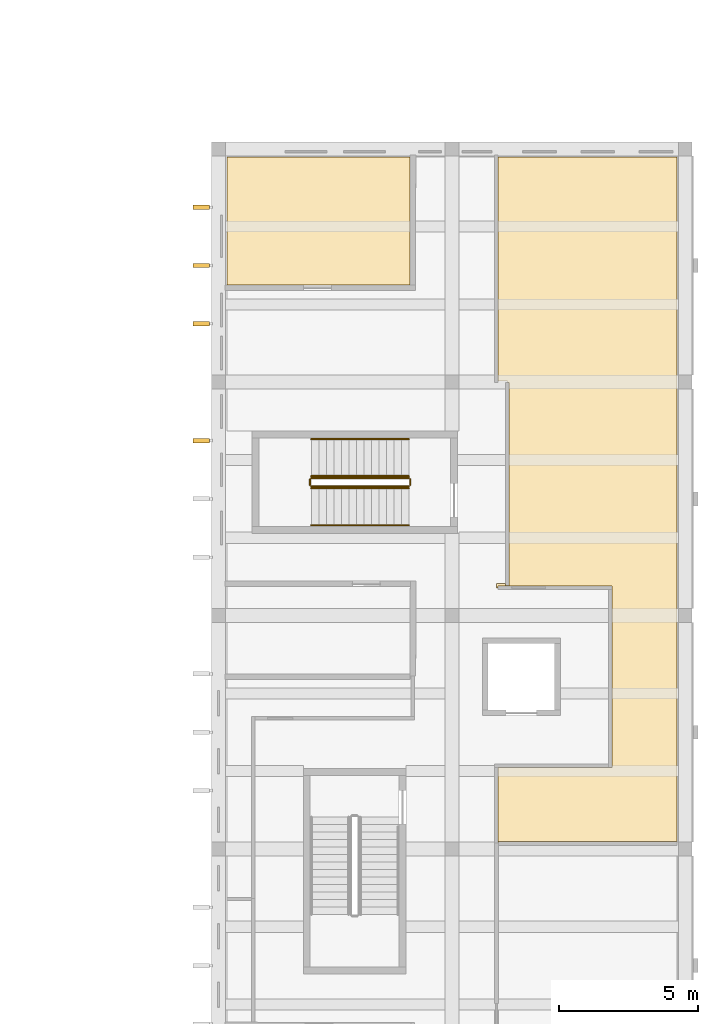
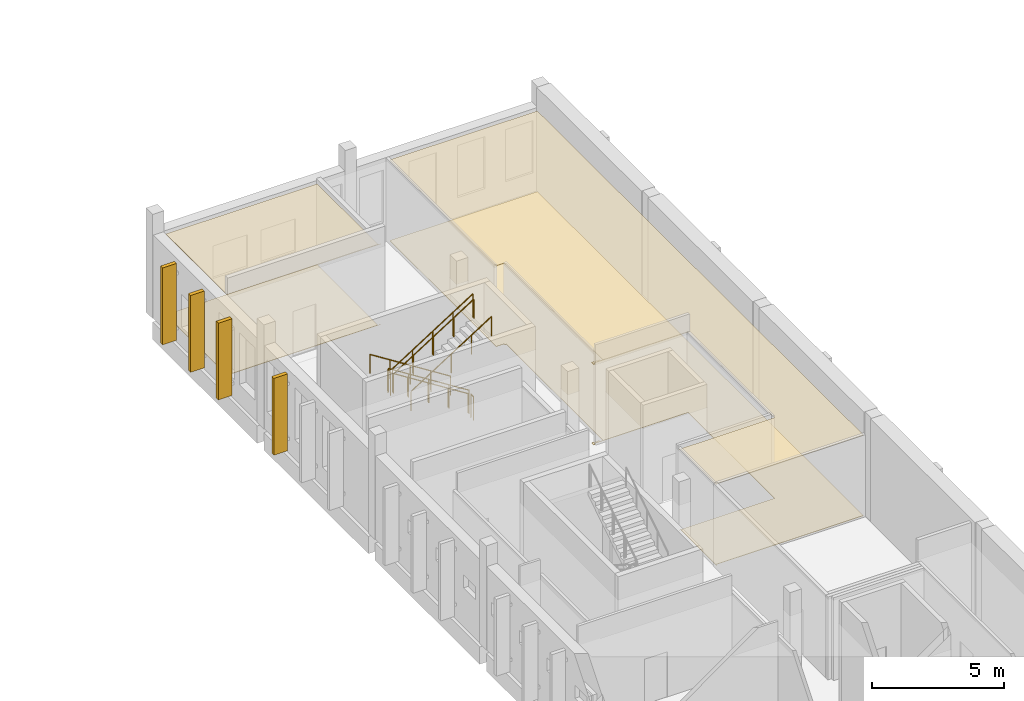
# One storey, part 27 of 37: 8 coverings, 8 railings.
"""IFC4 building model written with IfcOpenShell, lengths in metres."""

from ifc_helpers import new_model, si_unit, direction, frame, origin, origin_2d, place, context, subcontext, project, spatial, polyline, circle, outline, extrude, material, layer, layer_set, type_object, element, save


model = new_model("IFC4")

# Units and contexts
model_context = context("Model", 3, precision=1e-05, world=origin(), true_north=direction((0.0, 1.0)))
body_context = subcontext(model_context, "Body", "Model", "MODEL_VIEW")
ifc_project = project(units=[si_unit("LENGTHUNIT", "METRE"), si_unit("AREAUNIT", "SQUARE_METRE"), si_unit("VOLUMEUNIT", "CUBIC_METRE"), si_unit("PLANEANGLEUNIT", "RADIAN"), si_unit("MASSUNIT", "GRAM", prefix="KILO")], contexts=[model_context])

# Site, building, storey
site_placement = place(None, origin())
site = spatial("IfcSite", under=ifc_project, at=site_placement, CompositionType="ELEMENT")
building_placement = place(site_placement, origin())
building = spatial("IfcBuilding", under=site, at=building_placement, Name="Larchfold Concert Hall", CompositionType="ELEMENT")
storey_placement = place(building_placement, frame((0.0, 0.0, 19.199951171875)))
storey = spatial("IfcBuildingStorey", under=building, at=storey_placement, Name="L04", CompositionType="ELEMENT", Elevation=19.199951171875)

# Coverings
ifc_material_1 = material(Name="Plasterboard ceiling lining")
ifc_layer_1 = layer(ifc_material_1, 0.030029296875)
ifc_layer_set_1 = layer_set([ifc_layer_1], Name="Plasterboard ceiling lining")
covering_type_1 = type_object("IfcCoveringType", Name="Ceiling suspended plasterboard 30", PredefinedType="CEILING", material=ifc_layer_set_1)
covering_1_placement = place(storey_placement, frame((0.0, 0.0, 3.710205078125)))
element("IfcCovering", 1, at=covering_1_placement, inside=storey, type_object=covering_type_1, Name="Ceiling Practice Room 02", PredefinedType="CEILING", context=body_context, shape_type="SweptSolid", body=[
    extrude(outline(polyline([(84.900146484375, 50.699951171875), (84.900146484375, 46.10009765625), (91.60009765625, 46.10107421875), (91.494140625, 46.101318359375), (91.5, 50.699951171875), (84.900146484375, 50.699951171875)])), origin(), (0.0, 0.0, 1.0), 0.030029296875),
])
covering_2_placement = place(storey_placement, frame((0.0, 0.0, 3.710205078125)))
element("IfcCovering", 2, at=covering_2_placement, inside=storey, type_object=covering_type_1, Name="Ceiling Orchestra Library Study", PredefinedType="CEILING", context=body_context, shape_type="SweptSolid", body=[
    extrude(outline(polyline([(94.60009765625, 28.7314453125), (94.66259765625, 28.7314453125), (94.66259765625, 26.02001953125), (94.675048828125, 26.02001953125), (94.675048828125, 26.074951171875), (101.099853515625, 26.074951171875), (101.099853515625, 50.699951171875), (94.66259765625, 50.699951171875), (94.661376953125, 42.650146484375), (95.0, 42.650146484375), (95.0, 42.58642578125), (95.0615234375, 42.58642578125), (95.0615234375, 35.28857421875), (94.9365234375, 35.28857421875), (94.9365234375, 35.349853515625), (94.60009765625, 35.349853515625), (94.60009765625, 35.199951171875), (94.66162109375, 35.199951171875), (94.661865234375, 35.270263671875), (98.76171875, 35.261474609375), (98.761474609375, 28.738525390625), (94.60009765625, 28.7314453125)])), origin(), (0.0, 0.0, 1.0), 0.030029296875),
])
ifc_material_2 = material(Name="Linoleum sheet")
ifc_layer_2 = layer(ifc_material_2, 0.02001953125)
ifc_layer_set_2 = layer_set([ifc_layer_2], Name="Linoleum sheet")
covering_type_2 = type_object("IfcCoveringType", Name="Floor finish vinyl 20", PredefinedType="FLOORING", material=ifc_layer_set_2)
covering_3_placement = place(storey_placement, origin())
element("IfcCovering", 3, at=covering_3_placement, inside=storey, type_object=covering_type_2, Name="Floor finish Practice Room 02", PredefinedType="FLOORING", context=body_context, shape_type="SweptSolid", body=[
    extrude(outline(polyline([(84.900146484375, 50.699951171875), (84.900146484375, 46.10009765625), (91.60009765625, 46.10107421875), (91.494140625, 46.101318359375), (91.5, 50.699951171875), (84.900146484375, 50.699951171875)])), origin(), (0.0, 0.0, 1.0), 0.02001953125),
])
covering_4_placement = place(storey_placement, origin())
element("IfcCovering", 4, at=covering_4_placement, inside=storey, type_object=covering_type_2, Name="Floor finish Orchestra Library Study", PredefinedType="FLOORING", context=body_context, shape_type="SweptSolid", body=[
    extrude(outline(polyline([(94.60009765625, 28.7314453125), (94.66259765625, 28.7314453125), (94.66259765625, 26.02001953125), (94.675048828125, 26.02001953125), (94.675048828125, 26.074951171875), (101.099853515625, 26.074951171875), (101.099853515625, 50.699951171875), (94.66259765625, 50.699951171875), (94.661376953125, 42.650146484375), (95.0, 42.650146484375), (95.0, 42.58642578125), (95.0615234375, 42.58642578125), (95.0615234375, 35.28857421875), (94.9365234375, 35.28857421875), (94.9365234375, 35.349853515625), (94.60009765625, 35.349853515625), (94.60009765625, 35.199951171875), (94.66162109375, 35.199951171875), (94.661865234375, 35.270263671875), (98.76171875, 35.261474609375), (98.761474609375, 28.738525390625), (94.60009765625, 28.7314453125)])), origin(), (0.0, 0.0, 1.0), 0.02001953125),
])
ifc_material_3 = material(Name="Glulam GL30c", Category="wood")
ifc_layer_3 = layer(ifc_material_3, 0.159912109375)
ifc_layer_set_3 = layer_set([ifc_layer_3], Name="Glulam GL30c")
covering_type_3 = type_object("IfcCoveringType", Name="Glulam fin 160x600", PredefinedType="CLADDING", material=ifc_layer_set_3)
covering_5_placement = place(storey_placement, frame((0.0, 0.0, 0.199951171875)))
element("IfcCovering", 5, at=covering_5_placement, inside=storey, type_object=covering_type_3, Name="Glulam fin FN-L04-001", PredefinedType="CLADDING", context=body_context, shape_type="SweptSolid", body=[
    extrude(outline(polyline([(84.275146484375, 44.6201171875), (84.275146484375, 44.780029296875), (83.675048828125, 44.780029296875), (83.675048828125, 44.6201171875), (84.275146484375, 44.6201171875)])), origin(), (0.0, 0.0, 1.0), 3.5400390625),
])
covering_6_placement = place(storey_placement, frame((0.0, 0.0, 0.199951171875)))
element("IfcCovering", 6, at=covering_6_placement, inside=storey, type_object=covering_type_3, Name="Glulam fin FN-L04-002", PredefinedType="CLADDING", context=body_context, shape_type="SweptSolid", body=[
    extrude(outline(polyline([(84.275146484375, 46.719970703125), (84.275146484375, 46.8798828125), (83.675048828125, 46.8798828125), (83.675048828125, 46.719970703125), (84.275146484375, 46.719970703125)])), origin(), (0.0, 0.0, 1.0), 3.5400390625),
])
covering_7_placement = place(storey_placement, frame((0.0, 0.0, 0.199951171875)))
element("IfcCovering", 7, at=covering_7_placement, inside=storey, type_object=covering_type_3, Name="Glulam fin FN-L04-003", PredefinedType="CLADDING", context=body_context, shape_type="SweptSolid", body=[
    extrude(outline(polyline([(84.275146484375, 48.820068359375), (84.275146484375, 48.97998046875), (83.675048828125, 48.97998046875), (83.675048828125, 48.820068359375), (84.275146484375, 48.820068359375)])), origin(), (0.0, 0.0, 1.0), 3.5400390625),
])
covering_8_placement = place(storey_placement, frame((0.0, 0.0, 0.199951171875)))
element("IfcCovering", 8, at=covering_8_placement, inside=storey, type_object=covering_type_3, Name="Glulam fin FN-L04-006", PredefinedType="CLADDING", context=body_context, shape_type="SweptSolid", body=[
    extrude(outline(polyline([(84.275146484375, 40.419921875), (84.275146484375, 40.580078125), (83.675048828125, 40.580078125), (83.675048828125, 40.419921875), (84.275146484375, 40.419921875)])), origin(), (0.0, 0.0, 1.0), 3.5400390625),
])

# Railings
ifc_material_4 = material(Name="Stainless steel balustrade", Category="steel")
railing_type_1 = type_object("IfcRailingType", Name="Stair guard 1100", PredefinedType="GUARDRAIL", material=ifc_material_4)
railing_1_placement = place(storey_placement, frame((91.449951171875, 39.150146484375, 0.17138671875)))
element("IfcRailing", 9, at=railing_1_placement, inside=storey, type_object=railing_type_1, Name="Guard GR0059", PredefinedType="GUARDRAIL", context=body_context, shape_type="SweptSolid", body=[
    extrude(circle(Radius=0.02392578125, at=origin_2d()), frame((0.0, 0.0, 1.076171875), z_axis=(-0.844192992368, 0.0, 0.536039356425), x_axis=(0.0, -1.0, 0.0)), (0.0, 0.0, 1.0), 4.15771484375),
    extrude(circle(Radius=0.02099609375, at=origin_2d()), origin(), (0.0, 0.0, 1.0), 1.052001953125),
    extrude(circle(Radius=0.02099609375, at=origin_2d()), frame((-0.87744140625, 0.0, 0.55712890625)), (0.0, 0.0, 1.0), 1.052001953125),
    extrude(circle(Radius=0.02099609375, at=origin_2d()), frame((-1.7548828125, 0.0, 1.1142578125)), (0.0, 0.0, 1.0), 1.052001953125),
    extrude(circle(Radius=0.02099609375, at=origin_2d()), frame((-2.632568359375, 0.0, 1.671630859375)), (0.0, 0.0, 1.0), 1.052001953125),
    extrude(circle(Radius=0.02099609375, at=origin_2d()), frame((-3.510009765625, 0.0, 2.228759765625)), (0.0, 0.0, 1.0), 1.052001953125),
])
railing_2_placement = place(storey_placement, frame((87.889892578125, 39.10009765625, 2.400146484375)))
element("IfcRailing", 10, at=railing_2_placement, inside=storey, type_object=railing_type_1, Name="Guard GR0060", PredefinedType="GUARDRAIL", context=body_context, shape_type="SweptSolid", body=[
    extrude(circle(Radius=0.02392578125, at=origin_2d()), frame((0.0, 0.0, 1.076171875), z_axis=(0.0, -1.0, 0.0), x_axis=(1.0, 0.0, 0.0)), (0.0, 0.0, 1.0), 0.199951171875),
    extrude(circle(Radius=0.02099609375, at=origin_2d()), origin(), (0.0, 0.0, 1.0), 1.052001953125),
    extrude(circle(Radius=0.02099609375, at=origin_2d()), frame((0.0, -0.199951171875, 0.0)), (0.0, 0.0, 1.0), 1.052001953125),
])
railing_3_placement = place(storey_placement, frame((87.93994140625, 38.85009765625, 2.571533203125)))
element("IfcRailing", 11, at=railing_3_placement, inside=storey, type_object=railing_type_1, Name="Guard GR0061", PredefinedType="GUARDRAIL", context=body_context, shape_type="SweptSolid", body=[
    extrude(circle(Radius=0.02392578125, at=origin_2d()), frame((0.0, 0.0, 1.076171875), z_axis=(0.844219563411, 0.0, 0.53599750816), x_axis=(0.0, 1.0, 0.0)), (0.0, 0.0, 1.0), 4.15771484375),
    extrude(circle(Radius=0.02099609375, at=origin_2d()), origin(), (0.0, 0.0, 1.0), 1.052001953125),
    extrude(circle(Radius=0.02099609375, at=origin_2d()), frame((0.87744140625, 0.0, 0.55712890625)), (0.0, 0.0, 1.0), 1.052001953125),
    extrude(circle(Radius=0.02099609375, at=origin_2d()), frame((1.7548828125, 0.0, 1.1142578125)), (0.0, 0.0, 1.0), 1.052001953125),
    extrude(circle(Radius=0.02099609375, at=origin_2d()), frame((2.632568359375, 0.0, 1.67138671875)), (0.0, 0.0, 1.0), 1.052001953125),
    extrude(circle(Radius=0.02099609375, at=origin_2d()), frame((3.510009765625, 0.0, 2.228515625)), (0.0, 0.0, 1.0), 1.052001953125),
])
railing_4_placement = place(storey_placement, frame((91.5, 39.10009765625, 0.0)))
element("IfcRailing", 12, at=railing_4_placement, inside=storey, type_object=railing_type_1, Name="Guard GR0062", PredefinedType="GUARDRAIL", context=body_context, shape_type="SweptSolid", body=[
    extrude(circle(Radius=0.02392578125, at=origin_2d()), frame((0.0, 0.0, 1.076171875), z_axis=(0.0, -1.0, 0.0), x_axis=(1.0, 0.0, 0.0)), (0.0, 0.0, 1.0), 0.199951171875),
    extrude(circle(Radius=0.02099609375, at=origin_2d()), origin(), (0.0, 0.0, 1.0), 1.052001953125),
    extrude(circle(Radius=0.02099609375, at=origin_2d()), frame((0.0, -0.199951171875, 0.0)), (0.0, 0.0, 1.0), 1.052001953125),
])
ifc_material_5 = material(Name="Stainless steel handrail", Category="steel")
railing_type_2 = type_object("IfcRailingType", Name="Stair handrail 900", PredefinedType="HANDRAIL", material=ifc_material_5)
railing_5_placement = place(storey_placement, frame((91.449951171875, 40.550048828125, 0.17138671875)))
element("IfcRailing", 13, at=railing_5_placement, inside=storey, type_object=railing_type_2, Name="Handrail HR0057", PredefinedType="HANDRAIL", context=body_context, shape_type="SweptSolid", body=[
    extrude(circle(Radius=0.02392578125, at=origin_2d()), frame((0.0, 0.0, 0.8759765625), z_axis=(-0.844192992368, 0.0, 0.536039356425), x_axis=(0.0, -1.0, 0.0)), (0.0, 0.0, 1.0), 4.15771484375),
    extrude(circle(Radius=0.02099609375, at=origin_2d()), origin(), (0.0, 0.0, 1.0), 0.851806640625),
    extrude(circle(Radius=0.02099609375, at=origin_2d()), frame((-0.87744140625, 0.0, 0.55712890625)), (0.0, 0.0, 1.0), 0.851806640625),
    extrude(circle(Radius=0.02099609375, at=origin_2d()), frame((-1.7548828125, 0.0, 1.1142578125)), (0.0, 0.0, 1.0), 0.851806640625),
    extrude(circle(Radius=0.02099609375, at=origin_2d()), frame((-2.632568359375, 0.0, 1.671630859375)), (0.0, 0.0, 1.0), 0.851806640625),
    extrude(circle(Radius=0.02099609375, at=origin_2d()), frame((-3.510009765625, 0.0, 2.228759765625)), (0.0, 0.0, 1.0), 0.851806640625),
])
railing_6_placement = place(storey_placement, frame((87.93994140625, 37.4501953125, 2.571533203125)))
element("IfcRailing", 14, at=railing_6_placement, inside=storey, type_object=railing_type_2, Name="Handrail HR0058", PredefinedType="HANDRAIL", context=body_context, shape_type="SweptSolid", body=[
    extrude(circle(Radius=0.02392578125, at=origin_2d()), frame((0.0, 0.0, 0.8759765625), z_axis=(0.844219563411, 0.0, 0.53599750816), x_axis=(0.0, 1.0, 0.0)), (0.0, 0.0, 1.0), 4.15771484375),
    extrude(circle(Radius=0.02099609375, at=origin_2d()), origin(), (0.0, 0.0, 1.0), 0.851806640625),
    extrude(circle(Radius=0.02099609375, at=origin_2d()), frame((0.87744140625, 0.0, 0.55712890625)), (0.0, 0.0, 1.0), 0.851806640625),
    extrude(circle(Radius=0.02099609375, at=origin_2d()), frame((1.7548828125, 0.0, 1.1142578125)), (0.0, 0.0, 1.0), 0.851806640625),
    extrude(circle(Radius=0.02099609375, at=origin_2d()), frame((2.632568359375, 0.0, 1.67138671875)), (0.0, 0.0, 1.0), 0.851806640625),
    extrude(circle(Radius=0.02099609375, at=origin_2d()), frame((3.510009765625, 0.0, 2.228515625)), (0.0, 0.0, 1.0), 0.851806640625),
])
railing_7_placement = place(storey_placement, frame((91.449951171875, 39.22021484375, 0.17138671875)))
element("IfcRailing", 15, at=railing_7_placement, inside=storey, type_object=railing_type_2, Name="Handrail HR0059", PredefinedType="HANDRAIL", context=body_context, shape_type="SweptSolid", body=[
    extrude(circle(Radius=0.02392578125, at=origin_2d()), frame((0.0, 0.0, 0.8759765625), z_axis=(-0.844192992368, 0.0, 0.536039356425), x_axis=(0.0, -1.0, 0.0)), (0.0, 0.0, 1.0), 4.15771484375),
    extrude(circle(Radius=0.02099609375, at=origin_2d()), origin(), (0.0, 0.0, 1.0), 0.851806640625),
    extrude(circle(Radius=0.02099609375, at=origin_2d()), frame((-0.87744140625, 0.0, 0.55712890625)), (0.0, 0.0, 1.0), 0.851806640625),
    extrude(circle(Radius=0.02099609375, at=origin_2d()), frame((-1.7548828125, 0.0, 1.1142578125)), (0.0, 0.0, 1.0), 0.851806640625),
    extrude(circle(Radius=0.02099609375, at=origin_2d()), frame((-2.632568359375, 0.0, 1.671630859375)), (0.0, 0.0, 1.0), 0.851806640625),
    extrude(circle(Radius=0.02099609375, at=origin_2d()), frame((-3.510009765625, 0.0, 2.228759765625)), (0.0, 0.0, 1.0), 0.851806640625),
])
railing_8_placement = place(storey_placement, frame((87.93994140625, 38.780029296875, 2.571533203125)))
element("IfcRailing", 16, at=railing_8_placement, inside=storey, type_object=railing_type_2, Name="Handrail HR0060", PredefinedType="HANDRAIL", context=body_context, shape_type="SweptSolid", body=[
    extrude(circle(Radius=0.02392578125, at=origin_2d()), frame((0.0, 0.0, 0.8759765625), z_axis=(0.844219563411, 0.0, 0.53599750816), x_axis=(0.0, 1.0, 0.0)), (0.0, 0.0, 1.0), 4.15771484375),
    extrude(circle(Radius=0.02099609375, at=origin_2d()), origin(), (0.0, 0.0, 1.0), 0.851806640625),
    extrude(circle(Radius=0.02099609375, at=origin_2d()), frame((0.87744140625, 0.0, 0.55712890625)), (0.0, 0.0, 1.0), 0.851806640625),
    extrude(circle(Radius=0.02099609375, at=origin_2d()), frame((1.7548828125, 0.0, 1.1142578125)), (0.0, 0.0, 1.0), 0.851806640625),
    extrude(circle(Radius=0.02099609375, at=origin_2d()), frame((2.632568359375, 0.0, 1.67138671875)), (0.0, 0.0, 1.0), 0.851806640625),
    extrude(circle(Radius=0.02099609375, at=origin_2d()), frame((3.510009765625, 0.0, 2.228515625)), (0.0, 0.0, 1.0), 0.851806640625),
])

save(model, "model.ifc")
